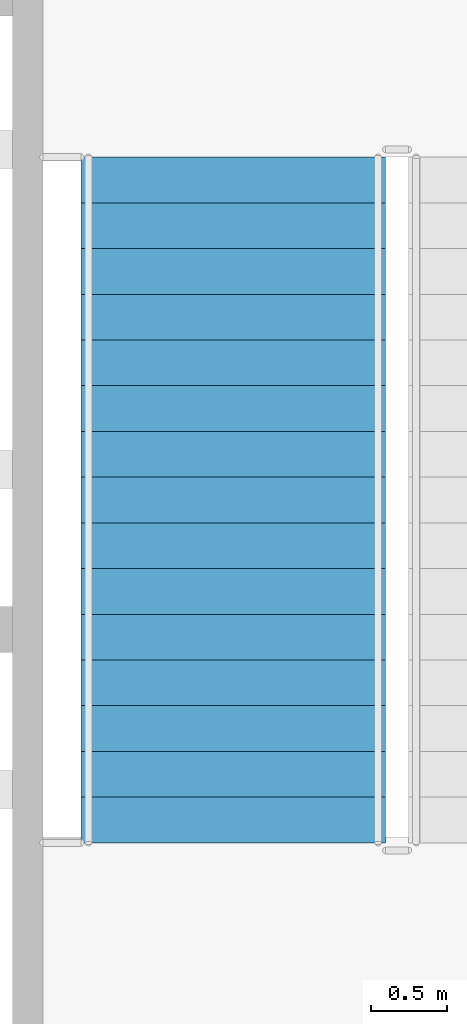
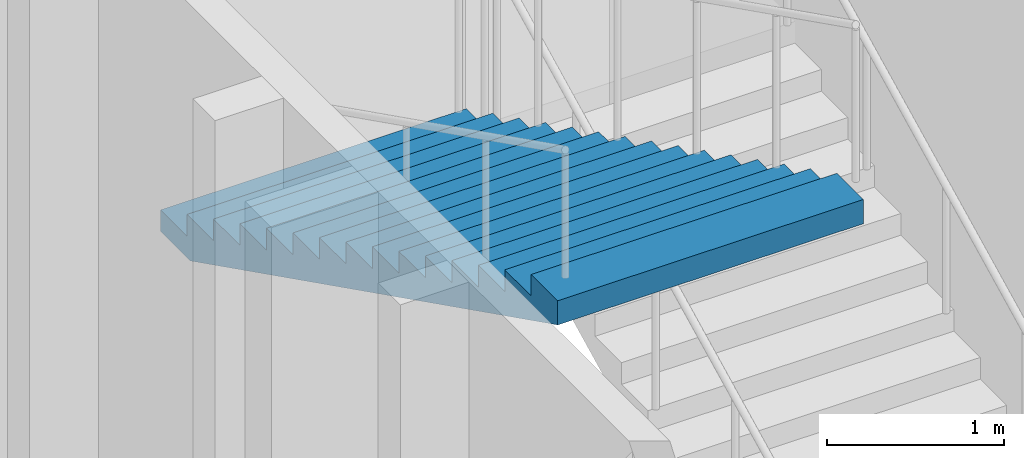
# One storey, part 58 of 91: 1 stair flight, 1 element without a shape of its own.
"""IFC4 building model written with IfcOpenShell, lengths in metres."""

from ifc_helpers import new_model, si_unit, direction, frame, origin, place, context, subcontext, project, spatial, faceted_brep, material, type_object, element, aggregate, save


model = new_model("IFC4")

# Units and contexts
model_context = context("Model", 3, precision=1e-05, world=origin(), true_north=direction((0.0, 1.0)))
body_context = subcontext(model_context, "Body", "Model", "MODEL_VIEW")
ifc_project = project(units=[si_unit("LENGTHUNIT", "METRE"), si_unit("AREAUNIT", "SQUARE_METRE"), si_unit("VOLUMEUNIT", "CUBIC_METRE"), si_unit("PLANEANGLEUNIT", "RADIAN"), si_unit("MASSUNIT", "GRAM", prefix="KILO")], contexts=[model_context])

# Site, building, storey
site_placement = place(None, origin())
site = spatial("IfcSite", under=ifc_project, at=site_placement, CompositionType="ELEMENT")
building_placement = place(site_placement, origin())
building = spatial("IfcBuilding", under=site, at=building_placement, Name="Kiln Court Media Centre", CompositionType="ELEMENT")
storey_placement = place(building_placement, frame((0.0, 0.0, 5.39990234375)))
storey = spatial("IfcBuildingStorey", under=building, at=storey_placement, Name="L01", CompositionType="ELEMENT", Elevation=5.39990234375)

# Stair, stair flight
ifc_material_1 = material(Name="Concrete C40/50", Category="concrete")
stair_type = type_object("IfcStairType", Name="Concrete C40/50 dog-leg stair 2000 wide, 150 riser", PredefinedType="HALF_TURN_STAIR", material=ifc_material_1)
stair_placement = place(storey_placement, origin())
stair = element("IfcStair", 1, at=stair_placement, inside=storey, type_object=stair_type, Name="ST-13 L01", PredefinedType="HALF_TURN_STAIR")
ifc_material_2 = material(Name="Concrete C40/50", Category="concrete")
stair_flight_type = type_object("IfcStairFlightType", Name="Concrete C40/50 stair flight 2000 wide, 150 riser, 300 going", PredefinedType="STRAIGHT", material=ifc_material_2)
stair_flight_placement = place(storey_placement, frame((119.050048828125, 40.89990234375, 2.400146484375), z_axis=(0.0, 0.0, 1.0), x_axis=(0.0, -1.0, 0.0)))
stair_flight = element("IfcStairFlight", 2, at=stair_flight_placement, type_object=stair_flight_type, Name="L01-ST-5012 flight 5025", NumberOfRisers=16, NumberOfTreads=15, PredefinedType="STRAIGHT", RiserHeight=0.15, TreadLength=0.3, context=body_context, shape_type="Brep", body=[
    faceted_brep([(0.335205078125, -1.0, 0.0), (4.5, -1.0, 2.08251953125), (4.5, -1.0, 2.25), (4.199951171875, -1.0, 2.25), (4.199951171875, -1.0, 2.10009765625), (3.89990234375, -1.0, 2.10009765625), (3.89990234375, -1.0, 1.949951171875), (3.60009765625, -1.0, 1.949951171875), (3.60009765625, -1.0, 1.800048828125), (3.300048828125, -1.0, 1.800048828125), (3.300048828125, -1.0, 1.64990234375), (3.0, -1.0, 1.64990234375), (3.0, -1.0, 1.5), (2.699951171875, -1.0, 1.5), (2.699951171875, -1.0, 1.35009765625), (2.39990234375, -1.0, 1.35009765625), (2.39990234375, -1.0, 1.199951171875), (2.10009765625, -1.0, 1.199951171875), (2.10009765625, -1.0, 1.050048828125), (1.800048828125, -1.0, 1.050048828125), (1.800048828125, -1.0, 0.89990234375), (1.5, -1.0, 0.89990234375), (1.5, -1.0, 0.75), (1.199951171875, -1.0, 0.75), (1.199951171875, -1.0, 0.60009765625), (0.89990234375, -1.0, 0.60009765625), (0.89990234375, -1.0, 0.449951171875), (0.60009765625, -1.0, 0.449951171875), (0.60009765625, -1.0, 0.300048828125), (0.300048828125, -1.0, 0.300048828125), (0.300048828125, -1.0, 0.14990234375), (0.0, -1.0, 0.14990234375), (0.0, -1.0, 0.0), (0.0, 1.0, 0.0), (0.0, 1.0, 0.14990234375), (0.300048828125, 1.0, 0.14990234375), (0.300048828125, 1.0, 0.300048828125), (0.60009765625, 1.0, 0.300048828125), (0.60009765625, 1.0, 0.449951171875), (0.89990234375, 1.0, 0.449951171875), (0.89990234375, 1.0, 0.60009765625), (1.199951171875, 1.0, 0.60009765625), (1.199951171875, 1.0, 0.75), (1.5, 1.0, 0.75), (1.5, 1.0, 0.89990234375), (1.800048828125, 1.0, 0.89990234375), (1.800048828125, 1.0, 1.050048828125), (2.10009765625, 1.0, 1.050048828125), (2.10009765625, 1.0, 1.199951171875), (2.39990234375, 1.0, 1.199951171875), (2.39990234375, 1.0, 1.35009765625), (2.699951171875, 1.0, 1.35009765625), (2.699951171875, 1.0, 1.5), (3.0, 1.0, 1.5), (3.0, 1.0, 1.64990234375), (3.300048828125, 1.0, 1.64990234375), (3.300048828125, 1.0, 1.800048828125), (3.60009765625, 1.0, 1.800048828125), (3.60009765625, 1.0, 1.949951171875), (3.89990234375, 1.0, 1.949951171875), (3.89990234375, 1.0, 2.10009765625), (4.199951171875, 1.0, 2.10009765625), (4.199951171875, 1.0, 2.25), (4.5, 1.0, 2.25), (4.5, 1.0, 2.08251953125), (0.335205078125, 1.0, 0.0), (4.5, 0.10009765625, 2.08251953125), (0.335205078125, 0.10009765625, 0.0), (4.5, 0.080078125, 2.08251953125), (0.335205078125, 0.080078125, 0.0), (4.5, 0.06005859375, 2.08251953125), (0.335205078125, 0.06005859375, 0.0), (4.5, 0.0400390625, 2.08251953125), (0.335205078125, 0.0400390625, 0.0), (4.5, 0.02001953125, 2.08251953125), (0.335205078125, 0.02001953125, 0.0), (4.5, 0.0, 2.08251953125), (0.335205078125, 0.0, 0.0), (4.5, -0.02001953125, 2.08251953125), (0.335205078125, -0.02001953125, 0.0), (4.5, -0.0400390625, 2.08251953125), (0.335205078125, -0.0400390625, 0.0), (4.5, -0.06005859375, 2.08251953125), (0.335205078125, -0.06005859375, 0.0), (4.5, -0.080078125, 2.08251953125), (0.335205078125, -0.080078125, 0.0), (4.5, -0.10009765625, 2.08251953125), (0.335205078125, -0.10009765625, 0.0), (4.5, 0.10009765625, 2.25), (4.5, 0.080078125, 2.25), (4.5, 0.06005859375, 2.25), (4.5, 0.0400390625, 2.25), (4.5, 0.02001953125, 2.25), (4.5, 0.0, 2.25), (4.5, -0.02001953125, 2.25), (4.5, -0.0400390625, 2.25), (4.5, -0.06005859375, 2.25), (4.5, -0.080078125, 2.25), (4.5, -0.10009765625, 2.25), (4.199951171875, 0.10009765625, 2.25), (4.199951171875, 0.080078125, 2.25), (4.199951171875, 0.06005859375, 2.25), (4.199951171875, 0.0400390625, 2.25), (4.199951171875, 0.02001953125, 2.25), (4.199951171875, 0.0, 2.25), (4.199951171875, -0.02001953125, 2.25), (4.199951171875, -0.0400390625, 2.25), (4.199951171875, -0.06005859375, 2.25), (4.199951171875, -0.080078125, 2.25), (4.199951171875, -0.10009765625, 2.25), (4.199951171875, 0.10009765625, 2.10009765625), (4.199951171875, 0.080078125, 2.10009765625), (4.199951171875, 0.06005859375, 2.10009765625), (4.199951171875, 0.0400390625, 2.10009765625), (4.199951171875, 0.02001953125, 2.10009765625), (4.199951171875, 0.0, 2.10009765625), (4.199951171875, -0.02001953125, 2.10009765625), (4.199951171875, -0.0400390625, 2.10009765625), (4.199951171875, -0.06005859375, 2.10009765625), (4.199951171875, -0.080078125, 2.10009765625), (4.199951171875, -0.10009765625, 2.10009765625), (3.89990234375, 0.10009765625, 2.10009765625), (3.89990234375, 0.080078125, 2.10009765625), (3.89990234375, 0.06005859375, 2.10009765625), (3.89990234375, 0.0400390625, 2.10009765625), (3.89990234375, 0.02001953125, 2.10009765625), (3.89990234375, 0.0, 2.10009765625), (3.89990234375, -0.02001953125, 2.10009765625), (3.89990234375, -0.0400390625, 2.10009765625), (3.89990234375, -0.06005859375, 2.10009765625), (3.89990234375, -0.080078125, 2.10009765625), (3.89990234375, -0.10009765625, 2.10009765625), (3.89990234375, 0.10009765625, 1.949951171875), (3.89990234375, 0.080078125, 1.949951171875), (3.89990234375, 0.06005859375, 1.949951171875), (3.89990234375, 0.0400390625, 1.949951171875), (3.89990234375, 0.02001953125, 1.949951171875), (3.89990234375, 0.0, 1.949951171875), (3.89990234375, -0.02001953125, 1.949951171875), (3.89990234375, -0.0400390625, 1.949951171875), (3.89990234375, -0.06005859375, 1.949951171875), (3.89990234375, -0.080078125, 1.949951171875), (3.89990234375, -0.10009765625, 1.949951171875), (3.60009765625, 0.10009765625, 1.949951171875), (3.60009765625, 0.080078125, 1.949951171875), (3.60009765625, 0.06005859375, 1.949951171875), (3.60009765625, 0.0400390625, 1.949951171875), (3.60009765625, 0.02001953125, 1.949951171875), (3.60009765625, 0.0, 1.949951171875), (3.60009765625, -0.02001953125, 1.949951171875), (3.60009765625, -0.0400390625, 1.949951171875), (3.60009765625, -0.06005859375, 1.949951171875), (3.60009765625, -0.080078125, 1.949951171875), (3.60009765625, -0.10009765625, 1.949951171875), (3.60009765625, 0.10009765625, 1.800048828125), (3.60009765625, 0.080078125, 1.800048828125), (3.60009765625, 0.06005859375, 1.800048828125), (3.60009765625, 0.0400390625, 1.800048828125), (3.60009765625, 0.02001953125, 1.800048828125), (3.60009765625, 0.0, 1.800048828125), (3.60009765625, -0.02001953125, 1.800048828125), (3.60009765625, -0.0400390625, 1.800048828125), (3.60009765625, -0.06005859375, 1.800048828125), (3.60009765625, -0.080078125, 1.800048828125), (3.60009765625, -0.10009765625, 1.800048828125), (3.300048828125, 0.10009765625, 1.800048828125), (3.300048828125, 0.080078125, 1.800048828125), (3.300048828125, 0.06005859375, 1.800048828125), (3.300048828125, 0.0400390625, 1.800048828125), (3.300048828125, 0.02001953125, 1.800048828125), (3.300048828125, 0.0, 1.800048828125), (3.300048828125, -0.02001953125, 1.800048828125), (3.300048828125, -0.0400390625, 1.800048828125), (3.300048828125, -0.06005859375, 1.800048828125), (3.300048828125, -0.080078125, 1.800048828125), (3.300048828125, -0.10009765625, 1.800048828125), (3.300048828125, 0.10009765625, 1.64990234375), (3.300048828125, 0.080078125, 1.64990234375), (3.300048828125, 0.06005859375, 1.64990234375), (3.300048828125, 0.0400390625, 1.64990234375), (3.300048828125, 0.02001953125, 1.64990234375), (3.300048828125, 0.0, 1.64990234375), (3.300048828125, -0.02001953125, 1.64990234375), (3.300048828125, -0.0400390625, 1.64990234375), (3.300048828125, -0.06005859375, 1.64990234375), (3.300048828125, -0.080078125, 1.64990234375), (3.300048828125, -0.10009765625, 1.64990234375), (3.0, 0.10009765625, 1.64990234375), (3.0, 0.080078125, 1.64990234375), (3.0, 0.06005859375, 1.64990234375), (3.0, 0.0400390625, 1.64990234375), (3.0, 0.02001953125, 1.64990234375), (3.0, 0.0, 1.64990234375), (3.0, -0.02001953125, 1.64990234375), (3.0, -0.0400390625, 1.64990234375), (3.0, -0.06005859375, 1.64990234375), (3.0, -0.080078125, 1.64990234375), (3.0, -0.10009765625, 1.64990234375), (3.0, 0.10009765625, 1.5), (3.0, 0.080078125, 1.5), (3.0, 0.06005859375, 1.5), (3.0, 0.0400390625, 1.5), (3.0, 0.02001953125, 1.5), (3.0, 0.0, 1.5), (3.0, -0.02001953125, 1.5), (3.0, -0.0400390625, 1.5), (3.0, -0.06005859375, 1.5), (3.0, -0.080078125, 1.5), (3.0, -0.10009765625, 1.5), (2.699951171875, 0.10009765625, 1.5), (2.699951171875, 0.080078125, 1.5), (2.699951171875, 0.06005859375, 1.5), (2.699951171875, 0.0400390625, 1.5), (2.699951171875, 0.02001953125, 1.5), (2.699951171875, 0.0, 1.5), (2.699951171875, -0.02001953125, 1.5), (2.699951171875, -0.0400390625, 1.5), (2.699951171875, -0.06005859375, 1.5), (2.699951171875, -0.080078125, 1.5), (2.699951171875, -0.10009765625, 1.5), (2.699951171875, 0.10009765625, 1.35009765625), (2.699951171875, 0.080078125, 1.35009765625), (2.699951171875, 0.06005859375, 1.35009765625), (2.699951171875, 0.0400390625, 1.35009765625), (2.699951171875, 0.02001953125, 1.35009765625), (2.699951171875, 0.0, 1.35009765625), (2.699951171875, -0.02001953125, 1.35009765625), (2.699951171875, -0.0400390625, 1.35009765625), (2.699951171875, -0.06005859375, 1.35009765625), (2.699951171875, -0.080078125, 1.35009765625), (2.699951171875, -0.10009765625, 1.35009765625), (2.39990234375, 0.10009765625, 1.35009765625), (2.39990234375, 0.080078125, 1.35009765625), (2.39990234375, 0.06005859375, 1.35009765625), (2.39990234375, 0.0400390625, 1.35009765625), (2.39990234375, 0.02001953125, 1.35009765625), (2.39990234375, 0.0, 1.35009765625), (2.39990234375, -0.02001953125, 1.35009765625), (2.39990234375, -0.0400390625, 1.35009765625), (2.39990234375, -0.06005859375, 1.35009765625), (2.39990234375, -0.080078125, 1.35009765625), (2.39990234375, -0.10009765625, 1.35009765625), (2.39990234375, 0.10009765625, 1.199951171875), (2.39990234375, 0.080078125, 1.199951171875), (2.39990234375, 0.06005859375, 1.199951171875), (2.39990234375, 0.0400390625, 1.199951171875), (2.39990234375, 0.02001953125, 1.199951171875), (2.39990234375, 0.0, 1.199951171875), (2.39990234375, -0.02001953125, 1.199951171875), (2.39990234375, -0.0400390625, 1.199951171875), (2.39990234375, -0.06005859375, 1.199951171875), (2.39990234375, -0.080078125, 1.199951171875), (2.39990234375, -0.10009765625, 1.199951171875), (2.10009765625, 0.10009765625, 1.199951171875), (2.10009765625, 0.080078125, 1.199951171875), (2.10009765625, 0.06005859375, 1.199951171875), (2.10009765625, 0.0400390625, 1.199951171875), (2.10009765625, 0.02001953125, 1.199951171875), (2.10009765625, 0.0, 1.199951171875), (2.10009765625, -0.02001953125, 1.199951171875), (2.10009765625, -0.0400390625, 1.199951171875), (2.10009765625, -0.06005859375, 1.199951171875), (2.10009765625, -0.080078125, 1.199951171875), (2.10009765625, -0.10009765625, 1.199951171875), (2.10009765625, 0.10009765625, 1.050048828125), (2.10009765625, 0.080078125, 1.050048828125), (2.10009765625, 0.06005859375, 1.050048828125), (2.10009765625, 0.0400390625, 1.050048828125), (2.10009765625, 0.02001953125, 1.050048828125), (2.10009765625, 0.0, 1.050048828125), (2.10009765625, -0.02001953125, 1.050048828125), (2.10009765625, -0.0400390625, 1.050048828125), (2.10009765625, -0.06005859375, 1.050048828125), (2.10009765625, -0.080078125, 1.050048828125), (2.10009765625, -0.10009765625, 1.050048828125), (1.800048828125, 0.10009765625, 1.050048828125), (1.800048828125, 0.080078125, 1.050048828125), (1.800048828125, 0.06005859375, 1.050048828125), (1.800048828125, 0.0400390625, 1.050048828125), (1.800048828125, 0.02001953125, 1.050048828125), (1.800048828125, 0.0, 1.050048828125), (1.800048828125, -0.02001953125, 1.050048828125), (1.800048828125, -0.0400390625, 1.050048828125), (1.800048828125, -0.06005859375, 1.050048828125), (1.800048828125, -0.080078125, 1.050048828125), (1.800048828125, -0.10009765625, 1.050048828125), (1.800048828125, 0.10009765625, 0.89990234375), (1.800048828125, 0.080078125, 0.89990234375), (1.800048828125, 0.06005859375, 0.89990234375), (1.800048828125, 0.0400390625, 0.89990234375), (1.800048828125, 0.02001953125, 0.89990234375), (1.800048828125, 0.0, 0.89990234375), (1.800048828125, -0.02001953125, 0.89990234375), (1.800048828125, -0.0400390625, 0.89990234375), (1.800048828125, -0.06005859375, 0.89990234375), (1.800048828125, -0.080078125, 0.89990234375), (1.800048828125, -0.10009765625, 0.89990234375), (1.5, 0.10009765625, 0.89990234375), (1.5, 0.080078125, 0.89990234375), (1.5, 0.06005859375, 0.89990234375), (1.5, 0.0400390625, 0.89990234375), (1.5, 0.02001953125, 0.89990234375), (1.5, 0.0, 0.89990234375), (1.5, -0.02001953125, 0.89990234375), (1.5, -0.0400390625, 0.89990234375), (1.5, -0.06005859375, 0.89990234375), (1.5, -0.080078125, 0.89990234375), (1.5, -0.10009765625, 0.89990234375), (1.5, 0.10009765625, 0.75), (1.5, 0.080078125, 0.75), (1.5, 0.06005859375, 0.75), (1.5, 0.0400390625, 0.75), (1.5, 0.02001953125, 0.75), (1.5, 0.0, 0.75), (1.5, -0.02001953125, 0.75), (1.5, -0.0400390625, 0.75), (1.5, -0.06005859375, 0.75), (1.5, -0.080078125, 0.75), (1.5, -0.10009765625, 0.75), (1.199951171875, 0.10009765625, 0.75), (1.199951171875, 0.080078125, 0.75), (1.199951171875, 0.06005859375, 0.75), (1.199951171875, 0.0400390625, 0.75), (1.199951171875, 0.02001953125, 0.75), (1.199951171875, 0.0, 0.75), (1.199951171875, -0.02001953125, 0.75), (1.199951171875, -0.0400390625, 0.75), (1.199951171875, -0.06005859375, 0.75), (1.199951171875, -0.080078125, 0.75), (1.199951171875, -0.10009765625, 0.75), (1.199951171875, 0.10009765625, 0.60009765625), (1.199951171875, 0.080078125, 0.60009765625), (1.199951171875, 0.06005859375, 0.60009765625), (1.199951171875, 0.0400390625, 0.60009765625), (1.199951171875, 0.02001953125, 0.60009765625), (1.199951171875, 0.0, 0.60009765625), (1.199951171875, -0.02001953125, 0.60009765625), (1.199951171875, -0.0400390625, 0.60009765625), (1.199951171875, -0.06005859375, 0.60009765625), (1.199951171875, -0.080078125, 0.60009765625), (1.199951171875, -0.10009765625, 0.60009765625), (0.89990234375, 0.10009765625, 0.60009765625), (0.89990234375, 0.080078125, 0.60009765625), (0.89990234375, 0.06005859375, 0.60009765625), (0.89990234375, 0.0400390625, 0.60009765625), (0.89990234375, 0.02001953125, 0.60009765625), (0.89990234375, 0.0, 0.60009765625), (0.89990234375, -0.02001953125, 0.60009765625), (0.89990234375, -0.0400390625, 0.60009765625), (0.89990234375, -0.06005859375, 0.60009765625), (0.89990234375, -0.080078125, 0.60009765625), (0.89990234375, -0.10009765625, 0.60009765625), (0.89990234375, 0.10009765625, 0.449951171875), (0.89990234375, 0.080078125, 0.449951171875), (0.89990234375, 0.06005859375, 0.449951171875), (0.89990234375, 0.0400390625, 0.449951171875), (0.89990234375, 0.02001953125, 0.449951171875), (0.89990234375, 0.0, 0.449951171875), (0.89990234375, -0.02001953125, 0.449951171875), (0.89990234375, -0.0400390625, 0.449951171875), (0.89990234375, -0.06005859375, 0.449951171875), (0.89990234375, -0.080078125, 0.449951171875), (0.89990234375, -0.10009765625, 0.449951171875), (0.60009765625, 0.10009765625, 0.449951171875), (0.60009765625, 0.080078125, 0.449951171875), (0.60009765625, 0.06005859375, 0.449951171875), (0.60009765625, 0.0400390625, 0.449951171875), (0.60009765625, 0.02001953125, 0.449951171875), (0.60009765625, 0.0, 0.449951171875), (0.60009765625, -0.02001953125, 0.449951171875), (0.60009765625, -0.0400390625, 0.449951171875), (0.60009765625, -0.06005859375, 0.449951171875), (0.60009765625, -0.080078125, 0.449951171875), (0.60009765625, -0.10009765625, 0.449951171875), (0.60009765625, 0.10009765625, 0.300048828125), (0.60009765625, 0.080078125, 0.300048828125), (0.60009765625, 0.06005859375, 0.300048828125), (0.60009765625, 0.0400390625, 0.300048828125), (0.60009765625, 0.02001953125, 0.300048828125), (0.60009765625, 0.0, 0.300048828125), (0.60009765625, -0.02001953125, 0.300048828125), (0.60009765625, -0.0400390625, 0.300048828125), (0.60009765625, -0.06005859375, 0.300048828125), (0.60009765625, -0.080078125, 0.300048828125), (0.60009765625, -0.10009765625, 0.300048828125), (0.300048828125, 0.10009765625, 0.300048828125), (0.300048828125, 0.080078125, 0.300048828125), (0.300048828125, 0.06005859375, 0.300048828125), (0.300048828125, 0.0400390625, 0.300048828125), (0.300048828125, 0.02001953125, 0.300048828125), (0.300048828125, 0.0, 0.300048828125), (0.300048828125, -0.02001953125, 0.300048828125), (0.300048828125, -0.0400390625, 0.300048828125), (0.300048828125, -0.06005859375, 0.300048828125), (0.300048828125, -0.080078125, 0.300048828125), (0.300048828125, -0.10009765625, 0.300048828125), (0.300048828125, 0.10009765625, 0.14990234375), (0.300048828125, 0.080078125, 0.14990234375), (0.300048828125, 0.06005859375, 0.14990234375), (0.300048828125, 0.0400390625, 0.14990234375), (0.300048828125, 0.02001953125, 0.14990234375), (0.300048828125, 0.0, 0.14990234375), (0.300048828125, -0.02001953125, 0.14990234375), (0.300048828125, -0.0400390625, 0.14990234375), (0.300048828125, -0.06005859375, 0.14990234375), (0.300048828125, -0.080078125, 0.14990234375), (0.300048828125, -0.10009765625, 0.14990234375), (0.0, 0.10009765625, 0.14990234375), (0.0, 0.080078125, 0.14990234375), (0.0, 0.06005859375, 0.14990234375), (0.0, 0.0400390625, 0.14990234375), (0.0, 0.02001953125, 0.14990234375), (0.0, 0.0, 0.14990234375), (0.0, -0.02001953125, 0.14990234375), (0.0, -0.0400390625, 0.14990234375), (0.0, -0.06005859375, 0.14990234375), (0.0, -0.080078125, 0.14990234375), (0.0, -0.10009765625, 0.14990234375), (0.0, 0.10009765625, 0.0), (0.0, 0.080078125, 0.0), (0.0, 0.06005859375, 0.0), (0.0, 0.0400390625, 0.0), (0.0, 0.02001953125, 0.0), (0.0, 0.0, 0.0), (0.0, -0.02001953125, 0.0), (0.0, -0.0400390625, 0.0), (0.0, -0.06005859375, 0.0), (0.0, -0.080078125, 0.0), (0.0, -0.10009765625, 0.0)], [[[0, 1, 2, 3, 4, 5, 6, 7, 8, 9, 10, 11, 12, 13, 14, 15, 16, 17, 18, 19, 20, 21, 22, 23, 24, 25, 26, 27, 28, 29, 30, 31, 32]], [[33, 34, 35, 36, 37, 38, 39, 40, 41, 42, 43, 44, 45, 46, 47, 48, 49, 50, 51, 52, 53, 54, 55, 56, 57, 58, 59, 60, 61, 62, 63, 64, 65]], [[65, 64, 66, 67]], [[67, 66, 68, 69]], [[69, 68, 70, 71]], [[71, 70, 72, 73]], [[73, 72, 74, 75]], [[75, 74, 76, 77]], [[77, 76, 78, 79]], [[79, 78, 80, 81]], [[81, 80, 82, 83]], [[83, 82, 84, 85]], [[85, 84, 86, 87]], [[87, 86, 1, 0]], [[64, 63, 88, 66]], [[66, 88, 89, 68]], [[68, 89, 90, 70]], [[70, 90, 91, 72]], [[72, 91, 92, 74]], [[74, 92, 93, 76]], [[76, 93, 94, 78]], [[78, 94, 95, 80]], [[80, 95, 96, 82]], [[82, 96, 97, 84]], [[84, 97, 98, 86]], [[86, 98, 2, 1]], [[63, 62, 99, 88]], [[88, 99, 100, 89]], [[89, 100, 101, 90]], [[90, 101, 102, 91]], [[91, 102, 103, 92]], [[92, 103, 104, 93]], [[93, 104, 105, 94]], [[94, 105, 106, 95]], [[95, 106, 107, 96]], [[96, 107, 108, 97]], [[97, 108, 109, 98]], [[98, 109, 3, 2]], [[62, 61, 110, 99]], [[99, 110, 111, 100]], [[100, 111, 112, 101]], [[101, 112, 113, 102]], [[102, 113, 114, 103]], [[103, 114, 115, 104]], [[104, 115, 116, 105]], [[105, 116, 117, 106]], [[106, 117, 118, 107]], [[107, 118, 119, 108]], [[108, 119, 120, 109]], [[109, 120, 4, 3]], [[61, 60, 121, 110]], [[110, 121, 122, 111]], [[111, 122, 123, 112]], [[112, 123, 124, 113]], [[113, 124, 125, 114]], [[114, 125, 126, 115]], [[115, 126, 127, 116]], [[116, 127, 128, 117]], [[117, 128, 129, 118]], [[118, 129, 130, 119]], [[119, 130, 131, 120]], [[120, 131, 5, 4]], [[60, 59, 132, 121]], [[121, 132, 133, 122]], [[122, 133, 134, 123]], [[123, 134, 135, 124]], [[124, 135, 136, 125]], [[125, 136, 137, 126]], [[126, 137, 138, 127]], [[127, 138, 139, 128]], [[128, 139, 140, 129]], [[129, 140, 141, 130]], [[130, 141, 142, 131]], [[131, 142, 6, 5]], [[59, 58, 143, 132]], [[132, 143, 144, 133]], [[133, 144, 145, 134]], [[134, 145, 146, 135]], [[135, 146, 147, 136]], [[136, 147, 148, 137]], [[137, 148, 149, 138]], [[138, 149, 150, 139]], [[139, 150, 151, 140]], [[140, 151, 152, 141]], [[141, 152, 153, 142]], [[142, 153, 7, 6]], [[58, 57, 154, 143]], [[143, 154, 155, 144]], [[144, 155, 156, 145]], [[145, 156, 157, 146]], [[146, 157, 158, 147]], [[147, 158, 159, 148]], [[148, 159, 160, 149]], [[149, 160, 161, 150]], [[150, 161, 162, 151]], [[151, 162, 163, 152]], [[152, 163, 164, 153]], [[153, 164, 8, 7]], [[57, 56, 165, 154]], [[154, 165, 166, 155]], [[155, 166, 167, 156]], [[156, 167, 168, 157]], [[157, 168, 169, 158]], [[158, 169, 170, 159]], [[159, 170, 171, 160]], [[160, 171, 172, 161]], [[161, 172, 173, 162]], [[162, 173, 174, 163]], [[163, 174, 175, 164]], [[164, 175, 9, 8]], [[56, 55, 176, 165]], [[165, 176, 177, 166]], [[166, 177, 178, 167]], [[167, 178, 179, 168]], [[168, 179, 180, 169]], [[169, 180, 181, 170]], [[170, 181, 182, 171]], [[171, 182, 183, 172]], [[172, 183, 184, 173]], [[173, 184, 185, 174]], [[174, 185, 186, 175]], [[175, 186, 10, 9]], [[55, 54, 187, 176]], [[176, 187, 188, 177]], [[177, 188, 189, 178]], [[178, 189, 190, 179]], [[179, 190, 191, 180]], [[180, 191, 192, 181]], [[181, 192, 193, 182]], [[182, 193, 194, 183]], [[183, 194, 195, 184]], [[184, 195, 196, 185]], [[185, 196, 197, 186]], [[186, 197, 11, 10]], [[54, 53, 198, 187]], [[187, 198, 199, 188]], [[188, 199, 200, 189]], [[189, 200, 201, 190]], [[190, 201, 202, 191]], [[191, 202, 203, 192]], [[192, 203, 204, 193]], [[193, 204, 205, 194]], [[194, 205, 206, 195]], [[195, 206, 207, 196]], [[196, 207, 208, 197]], [[197, 208, 12, 11]], [[53, 52, 209, 198]], [[198, 209, 210, 199]], [[199, 210, 211, 200]], [[200, 211, 212, 201]], [[201, 212, 213, 202]], [[202, 213, 214, 203]], [[203, 214, 215, 204]], [[204, 215, 216, 205]], [[205, 216, 217, 206]], [[206, 217, 218, 207]], [[207, 218, 219, 208]], [[208, 219, 13, 12]], [[52, 51, 220, 209]], [[209, 220, 221, 210]], [[210, 221, 222, 211]], [[211, 222, 223, 212]], [[212, 223, 224, 213]], [[213, 224, 225, 214]], [[214, 225, 226, 215]], [[215, 226, 227, 216]], [[216, 227, 228, 217]], [[217, 228, 229, 218]], [[218, 229, 230, 219]], [[219, 230, 14, 13]], [[51, 50, 231, 220]], [[220, 231, 232, 221]], [[221, 232, 233, 222]], [[222, 233, 234, 223]], [[223, 234, 235, 224]], [[224, 235, 236, 225]], [[225, 236, 237, 226]], [[226, 237, 238, 227]], [[227, 238, 239, 228]], [[228, 239, 240, 229]], [[229, 240, 241, 230]], [[230, 241, 15, 14]], [[50, 49, 242, 231]], [[231, 242, 243, 232]], [[232, 243, 244, 233]], [[233, 244, 245, 234]], [[234, 245, 246, 235]], [[235, 246, 247, 236]], [[236, 247, 248, 237]], [[237, 248, 249, 238]], [[238, 249, 250, 239]], [[239, 250, 251, 240]], [[240, 251, 252, 241]], [[241, 252, 16, 15]], [[49, 48, 253, 242]], [[242, 253, 254, 243]], [[243, 254, 255, 244]], [[244, 255, 256, 245]], [[245, 256, 257, 246]], [[246, 257, 258, 247]], [[247, 258, 259, 248]], [[248, 259, 260, 249]], [[249, 260, 261, 250]], [[250, 261, 262, 251]], [[251, 262, 263, 252]], [[252, 263, 17, 16]], [[48, 47, 264, 253]], [[253, 264, 265, 254]], [[254, 265, 266, 255]], [[255, 266, 267, 256]], [[256, 267, 268, 257]], [[257, 268, 269, 258]], [[258, 269, 270, 259]], [[259, 270, 271, 260]], [[260, 271, 272, 261]], [[261, 272, 273, 262]], [[262, 273, 274, 263]], [[263, 274, 18, 17]], [[47, 46, 275, 264]], [[264, 275, 276, 265]], [[265, 276, 277, 266]], [[266, 277, 278, 267]], [[267, 278, 279, 268]], [[268, 279, 280, 269]], [[269, 280, 281, 270]], [[270, 281, 282, 271]], [[271, 282, 283, 272]], [[272, 283, 284, 273]], [[273, 284, 285, 274]], [[274, 285, 19, 18]], [[46, 45, 286, 275]], [[275, 286, 287, 276]], [[276, 287, 288, 277]], [[277, 288, 289, 278]], [[278, 289, 290, 279]], [[279, 290, 291, 280]], [[280, 291, 292, 281]], [[281, 292, 293, 282]], [[282, 293, 294, 283]], [[283, 294, 295, 284]], [[284, 295, 296, 285]], [[285, 296, 20, 19]], [[45, 44, 297, 286]], [[286, 297, 298, 287]], [[287, 298, 299, 288]], [[288, 299, 300, 289]], [[289, 300, 301, 290]], [[290, 301, 302, 291]], [[291, 302, 303, 292]], [[292, 303, 304, 293]], [[293, 304, 305, 294]], [[294, 305, 306, 295]], [[295, 306, 307, 296]], [[296, 307, 21, 20]], [[44, 43, 308, 297]], [[297, 308, 309, 298]], [[298, 309, 310, 299]], [[299, 310, 311, 300]], [[300, 311, 312, 301]], [[301, 312, 313, 302]], [[302, 313, 314, 303]], [[303, 314, 315, 304]], [[304, 315, 316, 305]], [[305, 316, 317, 306]], [[306, 317, 318, 307]], [[307, 318, 22, 21]], [[43, 42, 319, 308]], [[308, 319, 320, 309]], [[309, 320, 321, 310]], [[310, 321, 322, 311]], [[311, 322, 323, 312]], [[312, 323, 324, 313]], [[313, 324, 325, 314]], [[314, 325, 326, 315]], [[315, 326, 327, 316]], [[316, 327, 328, 317]], [[317, 328, 329, 318]], [[318, 329, 23, 22]], [[42, 41, 330, 319]], [[319, 330, 331, 320]], [[320, 331, 332, 321]], [[321, 332, 333, 322]], [[322, 333, 334, 323]], [[323, 334, 335, 324]], [[324, 335, 336, 325]], [[325, 336, 337, 326]], [[326, 337, 338, 327]], [[327, 338, 339, 328]], [[328, 339, 340, 329]], [[329, 340, 24, 23]], [[41, 40, 341, 330]], [[330, 341, 342, 331]], [[331, 342, 343, 332]], [[332, 343, 344, 333]], [[333, 344, 345, 334]], [[334, 345, 346, 335]], [[335, 346, 347, 336]], [[336, 347, 348, 337]], [[337, 348, 349, 338]], [[338, 349, 350, 339]], [[339, 350, 351, 340]], [[340, 351, 25, 24]], [[40, 39, 352, 341]], [[341, 352, 353, 342]], [[342, 353, 354, 343]], [[343, 354, 355, 344]], [[344, 355, 356, 345]], [[345, 356, 357, 346]], [[346, 357, 358, 347]], [[347, 358, 359, 348]], [[348, 359, 360, 349]], [[349, 360, 361, 350]], [[350, 361, 362, 351]], [[351, 362, 26, 25]], [[39, 38, 363, 352]], [[352, 363, 364, 353]], [[353, 364, 365, 354]], [[354, 365, 366, 355]], [[355, 366, 367, 356]], [[356, 367, 368, 357]], [[357, 368, 369, 358]], [[358, 369, 370, 359]], [[359, 370, 371, 360]], [[360, 371, 372, 361]], [[361, 372, 373, 362]], [[362, 373, 27, 26]], [[38, 37, 374, 363]], [[363, 374, 375, 364]], [[364, 375, 376, 365]], [[365, 376, 377, 366]], [[366, 377, 378, 367]], [[367, 378, 379, 368]], [[368, 379, 380, 369]], [[369, 380, 381, 370]], [[370, 381, 382, 371]], [[371, 382, 383, 372]], [[372, 383, 384, 373]], [[373, 384, 28, 27]], [[37, 36, 385, 374]], [[374, 385, 386, 375]], [[375, 386, 387, 376]], [[376, 387, 388, 377]], [[377, 388, 389, 378]], [[378, 389, 390, 379]], [[379, 390, 391, 380]], [[380, 391, 392, 381]], [[381, 392, 393, 382]], [[382, 393, 394, 383]], [[383, 394, 395, 384]], [[384, 395, 29, 28]], [[36, 35, 396, 385]], [[385, 396, 397, 386]], [[386, 397, 398, 387]], [[387, 398, 399, 388]], [[388, 399, 400, 389]], [[389, 400, 401, 390]], [[390, 401, 402, 391]], [[391, 402, 403, 392]], [[392, 403, 404, 393]], [[393, 404, 405, 394]], [[394, 405, 406, 395]], [[395, 406, 30, 29]], [[35, 34, 407, 396]], [[396, 407, 408, 397]], [[397, 408, 409, 398]], [[398, 409, 410, 399]], [[399, 410, 411, 400]], [[400, 411, 412, 401]], [[401, 412, 413, 402]], [[402, 413, 414, 403]], [[403, 414, 415, 404]], [[404, 415, 416, 405]], [[405, 416, 417, 406]], [[406, 417, 31, 30]], [[34, 33, 418, 407]], [[407, 418, 419, 408]], [[408, 419, 420, 409]], [[409, 420, 421, 410]], [[410, 421, 422, 411]], [[411, 422, 423, 412]], [[412, 423, 424, 413]], [[413, 424, 425, 414]], [[414, 425, 426, 415]], [[415, 426, 427, 416]], [[416, 427, 428, 417]], [[417, 428, 32, 31]], [[33, 65, 67, 418]], [[418, 67, 69, 419]], [[419, 69, 71, 420]], [[420, 71, 73, 421]], [[421, 73, 75, 422]], [[422, 75, 77, 423]], [[423, 77, 79, 424]], [[424, 79, 81, 425]], [[425, 81, 83, 426]], [[426, 83, 85, 427]], [[427, 85, 87, 428]], [[428, 87, 0, 32]]]),
])
aggregate(stair, [stair_flight])

save(model, "model.ifc")
